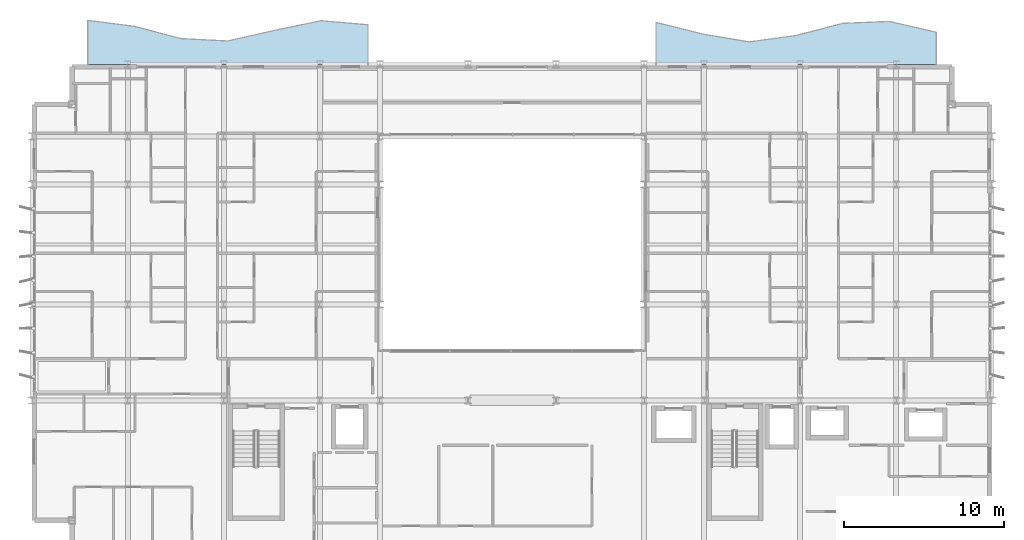
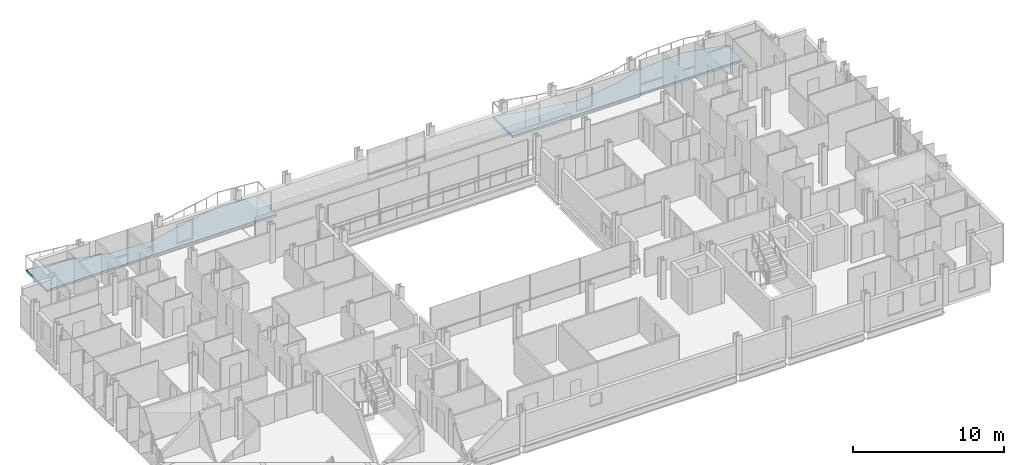
# One storey, part 25 of 39: 2 slabs.
"""IFC4 building model written with IfcOpenShell, lengths in metres."""

from ifc_helpers import new_model, si_unit, direction, frame, origin, place, context, subcontext, project, spatial, polyline, outline, extrude, material, layer, layer_set, type_object, element, save


model = new_model("IFC4")

# Units and contexts
model_context = context("Model", 3, precision=1e-05, world=origin(), true_north=direction((0.0, 1.0)))
body_context = subcontext(model_context, "Body", "Model", "MODEL_VIEW")
ifc_project = project(units=[si_unit("LENGTHUNIT", "METRE"), si_unit("AREAUNIT", "SQUARE_METRE"), si_unit("VOLUMEUNIT", "CUBIC_METRE"), si_unit("PLANEANGLEUNIT", "RADIAN"), si_unit("MASSUNIT", "GRAM", prefix="KILO")], contexts=[model_context])

# Site, building, storey
site_placement = place(None, origin())
site = spatial("IfcSite", under=ifc_project, at=site_placement, CompositionType="ELEMENT")
building_placement = place(site_placement, origin())
building = spatial("IfcBuilding", under=site, at=building_placement, Name="Brevholm Reach", CompositionType="ELEMENT")
storey_placement = place(building_placement, frame((0.0, 0.0, 77.60009765625)))
storey = spatial("IfcBuildingStorey", under=building, at=storey_placement, Name="L22", CompositionType="ELEMENT", Elevation=77.60009765625)

# Slabs
ifc_material = material(Name="Precast Concrete C40/50", Category="concrete")
ifc_layer = layer(ifc_material, 0.179931640625)
ifc_layer_set = layer_set([ifc_layer], Name="Precast Concrete C40/50")
slab_type = type_object("IfcSlabType", Name="SLB-BAL-180", PredefinedType="FLOOR", material=ifc_layer_set)
slab_1_placement = place(storey_placement, frame((0.0, 0.0, -0.18017578125)))
element("IfcSlab", 1, at=slab_1_placement, inside=storey, type_object=slab_type, Name="L22 Rippling External Balcony NE", PredefinedType="FLOOR", context=body_context, shape_type="SweptSolid", body=[
    extrude(outline(polyline([(39.0, 31.0), (56.5, 31.0), (56.5, 33.00439453125), (53.583251953125, 33.681640625), (50.666748046875, 33.560546875), (47.75, 32.800537109375), (44.833251953125, 32.401611328125), (41.916748046875, 32.888916015625), (39.0, 33.62109375), (39.0, 31.0)])), origin(), (0.0, 0.0, 1.0), 0.18017578125),
])
slab_2_placement = place(storey_placement, frame((0.0, 0.0, -0.18017578125)))
element("IfcSlab", 2, at=slab_2_placement, inside=storey, type_object=slab_type, Name="L22 Rippling External Balcony NW", PredefinedType="FLOOR", context=body_context, shape_type="SweptSolid", body=[
    extrude(outline(polyline([(3.5, 31.0), (21.0, 31.0), (21.0, 33.4716796875), (18.083251953125, 33.723876953125), (15.166748046875, 33.1220703125), (12.25, 32.45849609375), (9.333251953125, 32.606201171875), (6.416748046875, 33.370849609375), (3.5, 33.746337890625), (3.5, 31.0)])), origin(), (0.0, 0.0, 1.0), 0.18017578125),
])

save(model, "model.ifc")
